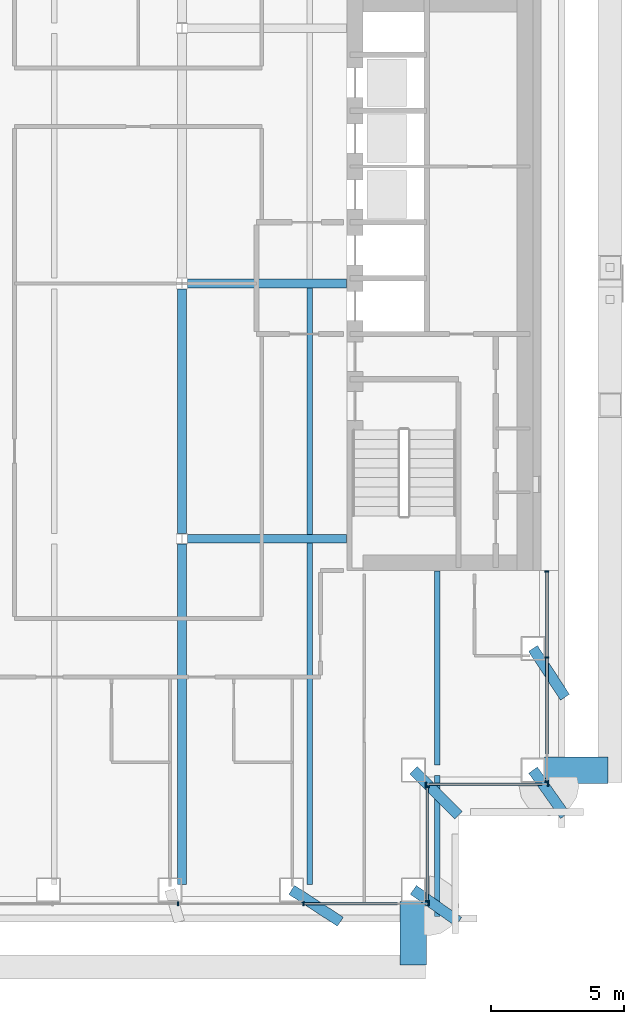
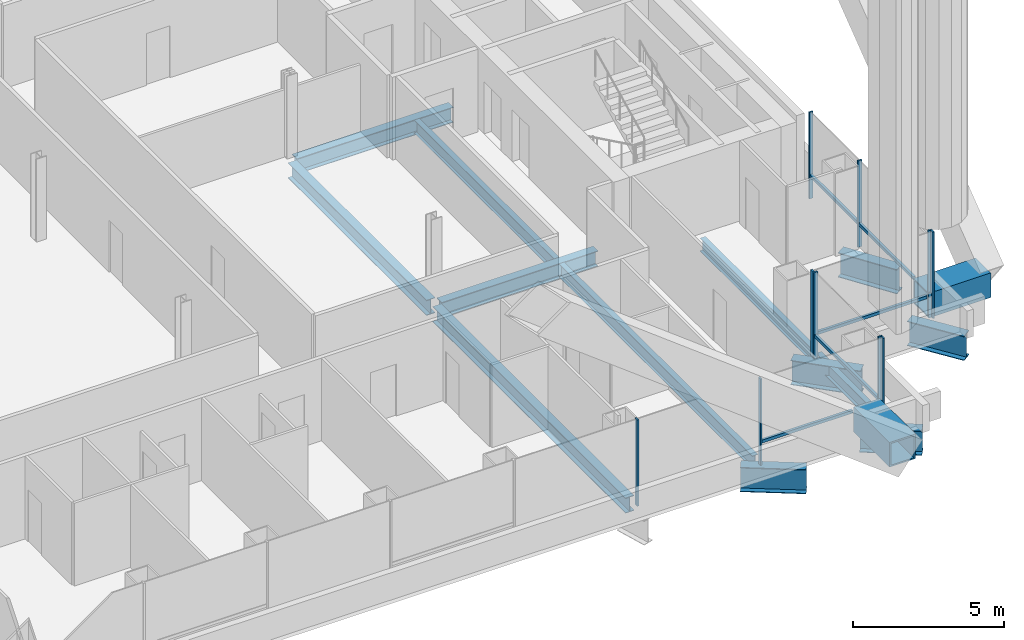
# One storey, part 5 of 22: 15 beams, 15 members, 4 elements without a shape of their own.
"""IFC4 building model written with IfcOpenShell, lengths in metres."""

from ifc_helpers import new_model, si_unit, direction, frame, origin, origin_2d, place, context, subcontext, project, spatial, rectangle, hollow_rectangle, i_section, extrude, material, material_profile, profile_set, type_object, element, aggregate, save


model = new_model("IFC4")

# Units and contexts
model_context = context("Model", 3, precision=1e-05, world=origin(), true_north=direction((0.0, 1.0)))
body_context = subcontext(model_context, "Body", "Model", "MODEL_VIEW")
ifc_project = project(units=[si_unit("LENGTHUNIT", "METRE"), si_unit("AREAUNIT", "SQUARE_METRE"), si_unit("VOLUMEUNIT", "CUBIC_METRE"), si_unit("PLANEANGLEUNIT", "RADIAN"), si_unit("MASSUNIT", "GRAM", prefix="KILO")], contexts=[model_context])

# Site, building, storey
site_placement = place(None, origin())
site = spatial("IfcSite", under=ifc_project, at=site_placement, CompositionType="ELEMENT")
building_placement = place(site_placement, origin())
building = spatial("IfcBuilding", under=site, at=building_placement, Name="Cobrizo Arcos Hotel Tower", CompositionType="ELEMENT")
storey_placement = place(building_placement, frame((0.0, 0.0, 89.0)))
storey = spatial("IfcBuildingStorey", under=building, at=storey_placement, Name="L21", CompositionType="ELEMENT", Elevation=89.0)

# Beams
ifc_material_1 = material(Name="Steel ASTM A572 Grade 50", Category="steel")
ifc_material_profile_1 = material_profile(ifc_material_1, hollow_rectangle(XDim=1.0, YDim=1.0, WallThickness=0.06005859375, at=origin_2d()), Name="BOX 1000X1000X60")
ifc_profile_set_1 = profile_set([ifc_material_profile_1], Name="Steel ASTM A572 Grade 50")
beam_type_1 = type_object("IfcBeamType", Name="BOX 1000X1000X60 brace connector strut", PredefinedType="BEAM", material=ifc_profile_set_1)
for number, where, z_axis, x_axis, name in (
    (1, (23.239990234375, -18.300048828125, 0.5), (1.0, 0.0, 0.0), (0.0, 1.0, 0.0), "Perimeter brace stub BS1, zone Z2, east face, offset -18.30 m, L21"),
    (2, (18.300048828125, -23.239990234375, 0.5), (0.0, -1.0, 0.0), (1.0, 0.0, 0.0), "Perimeter brace stub BS1, zone Z2, south face, offset +18.30 m, L21"),
):
    element("IfcBeam", number, at=place(storey_placement, frame(where, z_axis=z_axis, x_axis=x_axis)), inside=storey, type_object=beam_type_1, Name=name, PredefinedType="BEAM", context=body_context, shape_type="SweptSolid", body=[
        extrude(hollow_rectangle(XDim=1.0, YDim=1.0, WallThickness=0.06005859375, at=origin_2d()), origin(), (0.0, 0.0, 1.0), 2.380126953125),
    ])

# Curtain wall, members
ifc_material_2 = material(Name="Aluminium 6063-T6 anodised bronze", Category="aluminium")
curtain_wall_type = type_object("IfcCurtainWallType", Name="CW-A guest facade", PredefinedType="NOTDEFINED", material=ifc_material_2)
curtain_wall_1_placement = place(storey_placement, origin())
curtain_wall_1 = element("IfcCurtainWall", 3, at=curtain_wall_1_placement, inside=storey, type_object=curtain_wall_type, Name="CW-A L21 S face", PredefinedType="NOTDEFINED")
ifc_material_profile_2 = material_profile(ifc_material_2, rectangle(XDim=0.14990234375, YDim=0.06005859375, at=origin_2d()), Name="CW-A mullion 150x60")
ifc_profile_set_2 = profile_set([ifc_material_profile_2], Name="Aluminium 6063-T6 anodised bronze")
member_type_1 = type_object("IfcMemberType", Name="CW-A mullion 150x60", PredefinedType="MULLION", material=ifc_profile_set_2)
member_1_placement = place(storey_placement, frame((9.449951171875, -23.324951171875, 0.0), z_axis=(0.0, 0.0, 1.0), x_axis=(0.0, -1.0, 0.0)))
member_1 = element("IfcMember", 4, at=member_1_placement, type_object=member_type_1, Name="CW-A mullion 7", PredefinedType="MULLION", context=body_context, shape_type="SweptSolid", body=[
    extrude(rectangle(XDim=0.14990234375, YDim=0.06005859375, at=origin_2d()), origin(), (0.0, 0.0, 1.0), 3.5),
])
member_2_placement = place(storey_placement, frame((14.175048828125, -23.324951171875, 0.0), z_axis=(0.0, 0.0, 1.0), x_axis=(0.0, -1.0, 0.0)))
member_2 = element("IfcMember", 5, at=member_2_placement, type_object=member_type_1, Name="CW-A mullion 8", PredefinedType="MULLION", context=body_context, shape_type="SweptSolid", body=[
    extrude(rectangle(XDim=0.14990234375, YDim=0.06005859375, at=origin_2d()), origin(), (0.0, 0.0, 1.0), 3.5),
])
member_3_placement = place(storey_placement, frame((18.8701171875, -23.324951171875, 0.0), z_axis=(0.0, 0.0, 1.0), x_axis=(0.0, -1.0, 0.0)))
member_3 = element("IfcMember", 6, at=member_3_placement, type_object=member_type_1, Name="CW-A mullion 9", PredefinedType="MULLION", context=body_context, shape_type="SweptSolid", body=[
    extrude(rectangle(XDim=0.14990234375, YDim=0.06005859375, at=origin_2d()), origin(), (0.0, 0.0, 1.0), 3.5),
])

curtain_wall_2_placement = place(storey_placement, origin())
curtain_wall_2 = element("IfcCurtainWall", 7, at=curtain_wall_2_placement, inside=storey, type_object=curtain_wall_type, Name="CW-A L21 E face", PredefinedType="NOTDEFINED")
member_4_placement = place(storey_placement, frame((18.824951171875, -23.219970703125, 0.0), z_axis=(0.0, 0.0, 1.0), x_axis=(1.0, 0.0, 0.0)))
member_4 = element("IfcMember", 8, at=member_4_placement, type_object=member_type_1, Name="CW-A mullion 1", PredefinedType="MULLION", context=body_context, shape_type="SweptSolid", body=[
    extrude(rectangle(XDim=0.14990234375, YDim=0.06005859375, at=origin_2d()), origin(), (0.0, 0.0, 1.0), 3.5),
])
member_5_placement = place(storey_placement, frame((18.824951171875, -18.929931640625, 0.0), z_axis=(0.0, 0.0, 1.0), x_axis=(1.0, 0.0, 0.0)))
member_5 = element("IfcMember", 9, at=member_5_placement, type_object=member_type_1, Name="CW-A mullion 2", PredefinedType="MULLION", context=body_context, shape_type="SweptSolid", body=[
    extrude(rectangle(XDim=0.14990234375, YDim=0.06005859375, at=origin_2d()), origin(), (0.0, 0.0, 1.0), 3.5),
])

curtain_wall_3_placement = place(storey_placement, origin())
curtain_wall_3 = element("IfcCurtainWall", 10, at=curtain_wall_3_placement, inside=storey, type_object=curtain_wall_type, Name="CW-A L21 S face", PredefinedType="NOTDEFINED")
member_6_placement = place(storey_placement, frame((18.780029296875, -18.824951171875, 0.0), z_axis=(0.0, 0.0, 1.0), x_axis=(0.0, -1.0, 0.0)))
member_6 = element("IfcMember", 11, at=member_6_placement, type_object=member_type_1, Name="CW-A mullion 1", PredefinedType="MULLION", context=body_context, shape_type="SweptSolid", body=[
    extrude(rectangle(XDim=0.14990234375, YDim=0.06005859375, at=origin_2d()), origin(), (0.0, 0.0, 1.0), 3.5),
])
member_7_placement = place(storey_placement, frame((23.3701171875, -18.824951171875, 0.0), z_axis=(0.0, 0.0, 1.0), x_axis=(0.0, -1.0, 0.0)))
member_7 = element("IfcMember", 12, at=member_7_placement, type_object=member_type_1, Name="CW-A mullion 2", PredefinedType="MULLION", context=body_context, shape_type="SweptSolid", body=[
    extrude(rectangle(XDim=0.14990234375, YDim=0.06005859375, at=origin_2d()), origin(), (0.0, 0.0, 1.0), 3.5),
])

curtain_wall_4_placement = place(storey_placement, origin())
curtain_wall_4 = element("IfcCurtainWall", 13, at=curtain_wall_4_placement, inside=storey, type_object=curtain_wall_type, Name="CW-A L21 E face", PredefinedType="NOTDEFINED")
member_8_placement = place(storey_placement, frame((23.324951171875, -18.719970703125, 0.0), z_axis=(0.0, 0.0, 1.0), x_axis=(1.0, 0.0, 0.0)))
member_8 = element("IfcMember", 14, at=member_8_placement, type_object=member_type_1, Name="CW-A mullion 1", PredefinedType="MULLION", context=body_context, shape_type="SweptSolid", body=[
    extrude(rectangle(XDim=0.14990234375, YDim=0.06005859375, at=origin_2d()), origin(), (0.0, 0.0, 1.0), 3.5),
])
member_9_placement = place(storey_placement, frame((23.324951171875, -14.0625, 0.0), z_axis=(0.0, 0.0, 1.0), x_axis=(1.0, 0.0, 0.0)))
member_9 = element("IfcMember", 15, at=member_9_placement, type_object=member_type_1, Name="CW-A mullion 2", PredefinedType="MULLION", context=body_context, shape_type="SweptSolid", body=[
    extrude(rectangle(XDim=0.14990234375, YDim=0.06005859375, at=origin_2d()), origin(), (0.0, 0.0, 1.0), 3.5),
])
member_10_placement = place(storey_placement, frame((23.324951171875, -10.830078125, 0.0), z_axis=(0.0, 0.0, 1.0), x_axis=(1.0, 0.0, 0.0)))
member_10 = element("IfcMember", 16, at=member_10_placement, type_object=member_type_1, Name="CW-A mullion 3", PredefinedType="MULLION", context=body_context, shape_type="SweptSolid", body=[
    extrude(rectangle(XDim=0.14990234375, YDim=0.06005859375, at=origin_2d()), origin(), (0.0, 0.0, 1.0), 3.5),
])

# Member
ifc_material_profile_3 = material_profile(ifc_material_2, rectangle(XDim=0.10009765625, YDim=0.1201171875, at=origin_2d()), Name="CW-A transom 120x100")
ifc_profile_set_3 = profile_set([ifc_material_profile_3], Name="Aluminium 6063-T6 anodised bronze")
member_type_2 = type_object("IfcMemberType", Name="CW-A transom 120x100", PredefinedType="USERDEFINED", material=ifc_profile_set_3)
member_11_placement = place(storey_placement, frame((14.205078125, -23.324951171875, 0.929931640625), z_axis=(1.0, 0.0, 0.0), x_axis=(0.0, 1.0, 0.0)))
member_11 = element("IfcMember", 17, at=member_11_placement, type_object=member_type_2, Name="CW-A transom 858", ObjectType="TRANSOM", PredefinedType="USERDEFINED", context=body_context, shape_type="SweptSolid", body=[
    extrude(rectangle(XDim=0.10009765625, YDim=0.1201171875, at=origin_2d()), origin(), (0.0, 0.0, 1.0), 3.494873046875),
])

aggregate(curtain_wall_1, [member_1, member_2, member_3, member_11])

member_12_placement = place(storey_placement, frame((18.824951171875, -23.139892578125, 0.929931640625), z_axis=(0.0, 1.0, 0.0), x_axis=(-1.0, 0.0, 0.0)))
member_12 = element("IfcMember", 18, at=member_12_placement, type_object=member_type_2, Name="CW-A transom 859", ObjectType="TRANSOM", PredefinedType="USERDEFINED", context=body_context, shape_type="SweptSolid", body=[
    extrude(rectangle(XDim=0.10009765625, YDim=0.1201171875, at=origin_2d()), origin(), (0.0, 0.0, 1.0), 4.179931640625),
])

aggregate(curtain_wall_2, [member_4, member_5, member_12])

member_13_placement = place(storey_placement, frame((18.89990234375, -18.824951171875, 0.929931640625), z_axis=(1.0, 0.0, 0.0), x_axis=(0.0, 1.0, 0.0)))
member_13 = element("IfcMember", 19, at=member_13_placement, type_object=member_type_2, Name="CW-A transom 860", ObjectType="TRANSOM", PredefinedType="USERDEFINED", context=body_context, shape_type="SweptSolid", body=[
    extrude(rectangle(XDim=0.10009765625, YDim=0.1201171875, at=origin_2d()), origin(), (0.0, 0.0, 1.0), 4.239990234375),
])

aggregate(curtain_wall_3, [member_6, member_7, member_13])

member_14_placement = place(storey_placement, frame((23.324951171875, -17.699951171875, 0.929931640625), z_axis=(0.0, 1.0, 0.0), x_axis=(-1.0, 0.0, 0.0)))
member_14 = element("IfcMember", 20, at=member_14_placement, type_object=member_type_2, Name="CW-A transom 861", ObjectType="TRANSOM", PredefinedType="USERDEFINED", context=body_context, shape_type="SweptSolid", body=[
    extrude(rectangle(XDim=0.10009765625, YDim=0.1201171875, at=origin_2d()), origin(), (0.0, 0.0, 1.0), 3.607421875),
])

member_15_placement = place(storey_placement, frame((23.324951171875, -14.032470703125, 0.929931640625), z_axis=(0.0, 1.0, 0.0), x_axis=(-1.0, 0.0, 0.0)))
member_15 = element("IfcMember", 21, at=member_15_placement, type_object=member_type_2, Name="CW-A transom 862", ObjectType="TRANSOM", PredefinedType="USERDEFINED", context=body_context, shape_type="SweptSolid", body=[
    extrude(rectangle(XDim=0.10009765625, YDim=0.1201171875, at=origin_2d()), origin(), (0.0, 0.0, 1.0), 3.17236328125),
])

aggregate(curtain_wall_4, [member_8, member_9, member_10, member_14, member_15])

# Beams
ifc_material_3 = material(Name="Steel ASTM A992 Grade 50", Category="steel")
ifc_material_profile_4 = material_profile(ifc_material_3, i_section(OverallWidth=0.209228515625, OverallDepth=0.533447265625, WebThickness=0.01025390625, FlangeThickness=0.015625, at=origin_2d()), Name="W21X62")
ifc_profile_set_4 = profile_set([ifc_material_profile_4], Name="Steel ASTM A992 Grade 50")
beam_type_2 = type_object("IfcBeamType", Name="W21X62 joist", PredefinedType="JOIST", material=ifc_profile_set_4)
beam_1_placement = place(storey_placement, frame((14.39990234375, -22.599609375, -0.416748046875), z_axis=(0.0, 1.0, 0.0), x_axis=(-1.0, 0.0, 0.0)))
element("IfcBeam", 22, at=beam_1_placement, inside=storey, type_object=beam_type_2, Name="Floor joist J1, L21, no. 017", PredefinedType="JOIST", context=body_context, shape_type="SweptSolid", body=[
    extrude(i_section(OverallWidth=0.209228515625, OverallDepth=0.533447265625, WebThickness=0.01025390625, FlangeThickness=0.015625, at=origin_2d()), origin(), (0.0, 0.0, 1.0), 12.835693359375),
])
beam_2_placement = place(storey_placement, frame((14.39990234375, -9.43603515625, -0.416748046875), z_axis=(0.0, 1.0, 0.0), x_axis=(-1.0, 0.0, 0.0)))
element("IfcBeam", 23, at=beam_2_placement, inside=storey, type_object=beam_type_2, Name="Floor joist J1, L21, no. 018", PredefinedType="JOIST", context=body_context, shape_type="SweptSolid", body=[
    extrude(i_section(OverallWidth=0.209228515625, OverallDepth=0.533447265625, WebThickness=0.01025390625, FlangeThickness=0.015625, at=origin_2d()), origin(), (0.0, 0.0, 1.0), 9.272216796875),
])
beam_3_placement = place(storey_placement, frame((19.199951171875, -23.799560546875, -0.416748046875), z_axis=(0.0, 1.0, 0.0), x_axis=(-1.0, 0.0, 0.0)))
element("IfcBeam", 24, at=beam_3_placement, inside=storey, type_object=beam_type_2, Name="Floor joist J1, L21, no. 021", PredefinedType="JOIST", context=body_context, shape_type="SweptSolid", body=[
    extrude(i_section(OverallWidth=0.209228515625, OverallDepth=0.533447265625, WebThickness=0.01025390625, FlangeThickness=0.015625, at=origin_2d()), origin(), (0.0, 0.0, 1.0), 5.299072265625),
])
beam_4_placement = place(storey_placement, frame((19.199951171875, -18.099609375, -0.416748046875), z_axis=(0.0, 1.0, 0.0), x_axis=(-1.0, 0.0, 0.0)))
element("IfcBeam", 25, at=beam_4_placement, inside=storey, type_object=beam_type_2, Name="Floor joist J1, L21, no. 022", PredefinedType="JOIST", context=body_context, shape_type="SweptSolid", body=[
    extrude(i_section(OverallWidth=0.209228515625, OverallDepth=0.533447265625, WebThickness=0.01025390625, FlangeThickness=0.015625, at=origin_2d()), origin(), (0.0, 0.0, 1.0), 7.28955078125),
])
ifc_material_profile_5 = material_profile(ifc_material_3, i_section(OverallWidth=0.32763671875, OverallDepth=0.622314453125, WebThickness=0.015380859375, FlangeThickness=0.0244140625, at=origin_2d()), Name="W24X131")
ifc_profile_set_5 = profile_set([ifc_material_profile_5], Name="Steel ASTM A992 Grade 50")
beam_type_3 = type_object("IfcBeamType", Name="W24X131 girder", PredefinedType="BEAM", material=ifc_profile_set_5)
for number, where, z_axis, x_axis, name in (
    (26, (9.804443359375, -9.60009765625, -0.461181640625), (1.0, 0.0, 0.0), (0.0, 1.0, 0.0), "Floor girder G1, L21, no. 002"),
    (27, (9.804443359375, 0.0, -0.461181640625), (1.0, 0.0, 0.0), (0.0, 1.0, 0.0), "Floor girder G1, L21, no. 004"),
):
    element("IfcBeam", number, at=place(storey_placement, frame(where, z_axis=z_axis, x_axis=x_axis)), inside=storey, type_object=beam_type_3, Name=name, PredefinedType="BEAM", context=body_context, shape_type="SweptSolid", body=[
        extrude(i_section(OverallWidth=0.32763671875, OverallDepth=0.622314453125, WebThickness=0.015380859375, FlangeThickness=0.0244140625, at=origin_2d()), origin(), (0.0, 0.0, 1.0), 5.985595703125),
    ])
beam_5_placement = place(storey_placement, frame((9.60009765625, -22.599609375, -0.461181640625), z_axis=(0.0, 1.0, 0.0), x_axis=(-1.0, 0.0, 0.0)))
element("IfcBeam", 28, at=beam_5_placement, inside=storey, type_object=beam_type_3, Name="Floor girder G1, L21, no. 015", PredefinedType="BEAM", context=body_context, shape_type="SweptSolid", body=[
    extrude(i_section(OverallWidth=0.32763671875, OverallDepth=0.622314453125, WebThickness=0.015380859375, FlangeThickness=0.0244140625, at=origin_2d()), origin(), (0.0, 0.0, 1.0), 12.795166015625),
])
beam_6_placement = place(storey_placement, frame((9.60009765625, -9.3955078125, -0.461181640625), z_axis=(0.0, 1.0, 0.0), x_axis=(-1.0, 0.0, 0.0)))
element("IfcBeam", 29, at=beam_6_placement, inside=storey, type_object=beam_type_3, Name="Floor girder G1, L21, no. 016", PredefinedType="BEAM", context=body_context, shape_type="SweptSolid", body=[
    extrude(i_section(OverallWidth=0.32763671875, OverallDepth=0.622314453125, WebThickness=0.015380859375, FlangeThickness=0.0244140625, at=origin_2d()), origin(), (0.0, 0.0, 1.0), 9.191162109375),
])
ifc_material_profile_6 = material_profile(ifc_material_3, i_section(OverallWidth=0.4013671875, OverallDepth=0.990478515625, WebThickness=0.0166015625, FlangeThickness=0.025390625, at=origin_2d()), Name="W40X215")
ifc_profile_set_6 = profile_set([ifc_material_profile_6], Name="Steel ASTM A992 Grade 50")
beam_type_4 = type_object("IfcBeamType", Name="W40X215 transfer girder", PredefinedType="BEAM", material=ifc_profile_set_6)
beam_7_placement = place(storey_placement, frame((15.555908203125, -24.0, -0.645263671875), z_axis=(-0.836365917196, 0.548171553943, 0.0), x_axis=(-0.548171553943, -0.836365917196, 0.0)))
element("IfcBeam", 30, at=beam_7_placement, inside=storey, type_object=beam_type_4, Name="Setback transfer girder TG1, L21, no. 010", PredefinedType="BEAM", context=body_context, shape_type="SweptSolid", body=[
    extrude(i_section(OverallWidth=0.4013671875, OverallDepth=0.990478515625, WebThickness=0.0166015625, FlangeThickness=0.025390625, at=origin_2d()), origin(), (0.0, 0.0, 1.0), 2.18896484375),
])
for number, where, z_axis, x_axis, name in (
    (31, (20.0, -24.0, -0.645263671875), (-0.816971114901, 0.576678591087, 0.0), (-0.576678591087, -0.816971114901, 0.0), "Setback transfer girder TG1, L21, no. 012"),
    (32, (24.0, -20.0, -0.645263671875), (-0.576678591087, 0.816971114901, 0.0), (-0.816971114901, -0.576678591087, 0.0), "Setback transfer girder TG1, L21, no. 013"),
):
    element("IfcBeam", number, at=place(storey_placement, frame(where, z_axis=z_axis, x_axis=x_axis)), inside=storey, type_object=beam_type_4, Name=name, PredefinedType="BEAM", context=body_context, shape_type="SweptSolid", body=[
        extrude(i_section(OverallWidth=0.4013671875, OverallDepth=0.990478515625, WebThickness=0.0166015625, FlangeThickness=0.025390625, at=origin_2d()), origin(), (0.0, 0.0, 1.0), 2.080810546875),
    ])
beam_8_placement = place(storey_placement, frame((24.0, -15.555908203125, -0.645263671875), z_axis=(-0.548171553943, 0.836365917196, 0.0), x_axis=(-0.836365917196, -0.548171553943, 0.0)))
element("IfcBeam", 33, at=beam_8_placement, inside=storey, type_object=beam_type_4, Name="Setback transfer girder TG1, L21, no. 015", PredefinedType="BEAM", context=body_context, shape_type="SweptSolid", body=[
    extrude(i_section(OverallWidth=0.4013671875, OverallDepth=0.990478515625, WebThickness=0.0166015625, FlangeThickness=0.025390625, at=origin_2d()), origin(), (0.0, 0.0, 1.0), 2.18896484375),
])
beam_9_placement = place(storey_placement, frame((20.0, -20.0, -0.645263671875), z_axis=(-0.707106781187, 0.707106781187, 0.0), x_axis=(-0.707106781187, -0.707106781187, 0.0)))
element("IfcBeam", 34, at=beam_9_placement, inside=storey, type_object=beam_type_4, Name="Setback transfer girder TG1, L21, no. 023", PredefinedType="BEAM", context=body_context, shape_type="SweptSolid", body=[
    extrude(i_section(OverallWidth=0.4013671875, OverallDepth=0.990478515625, WebThickness=0.0166015625, FlangeThickness=0.025390625, at=origin_2d()), origin(), (0.0, 0.0, 1.0), 2.404052734375),
])

save(model, "model.ifc")
